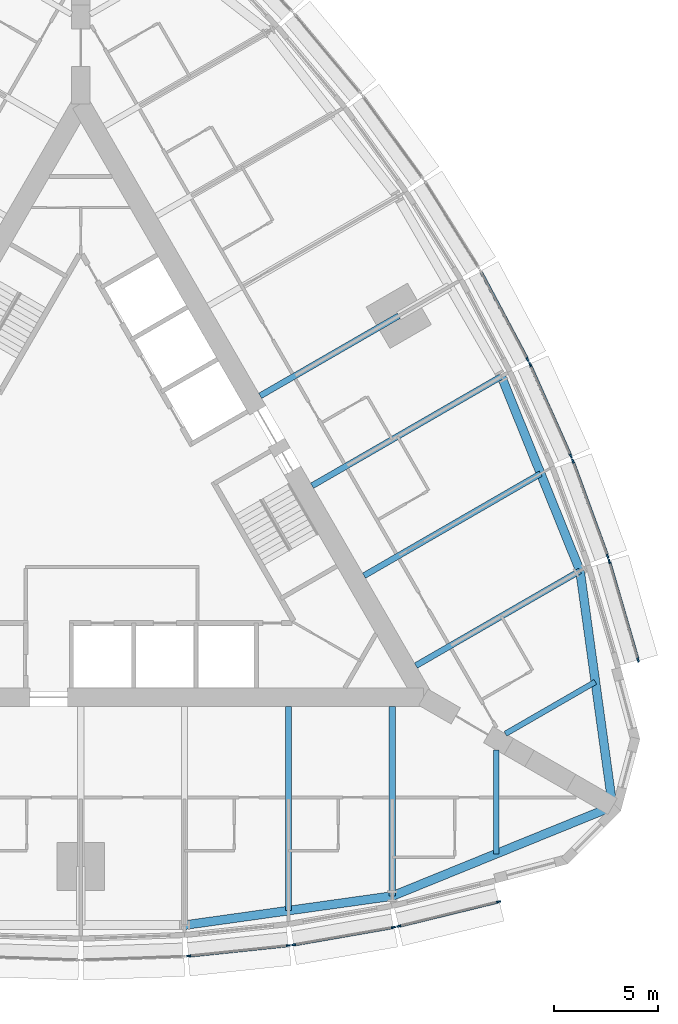
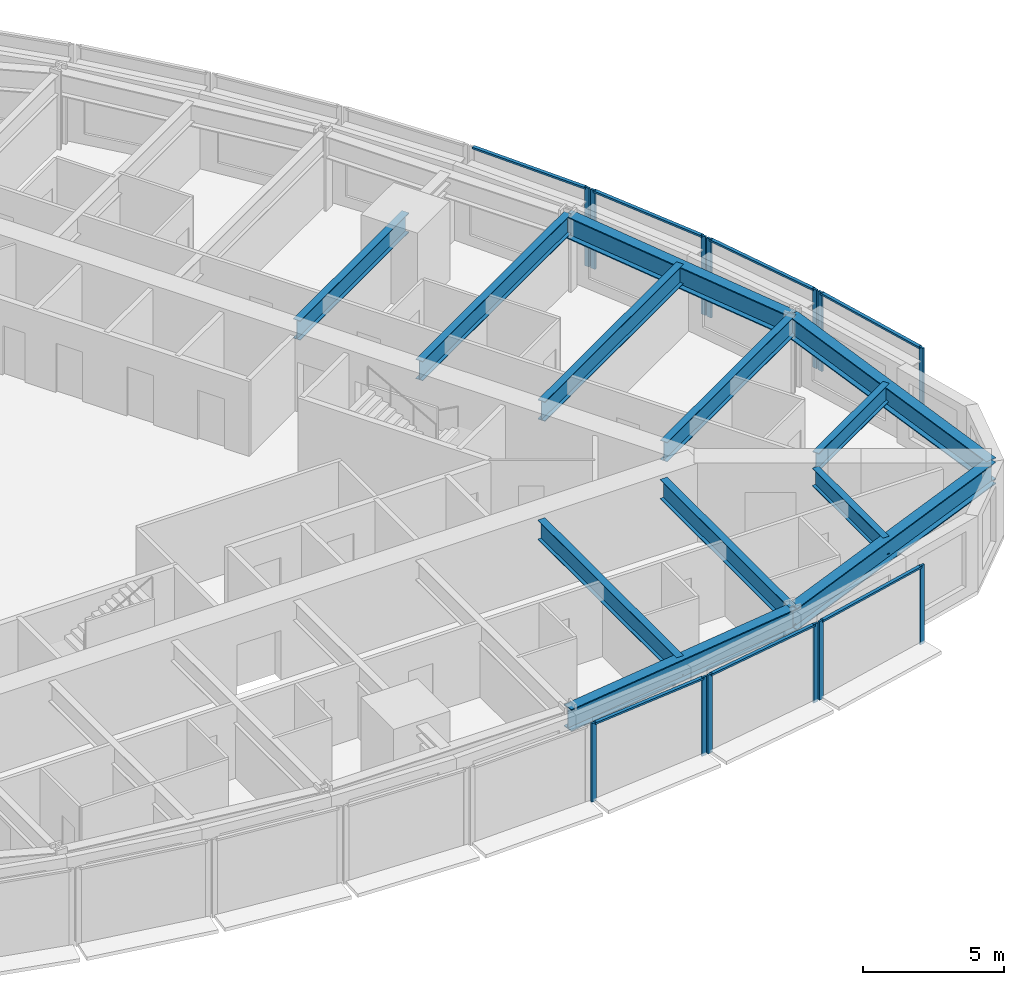
# One storey, part 3 of 14: 20 members, 12 beams, 7 elements without a shape of their own.
"""IFC4 building model written with IfcOpenShell, lengths in metres."""

from ifc_helpers import new_model, si_unit, direction, frame, origin, origin_2d, place, context, subcontext, project, spatial, rectangle, i_section, extrude, material, material_profile, profile_set, type_object, element, aggregate, save


model = new_model("IFC4")

# Units and contexts
model_context = context("Model", 3, precision=1e-05, world=origin(), true_north=direction((0.0, 1.0)))
body_context = subcontext(model_context, "Body", "Model", "MODEL_VIEW")
ifc_project = project(units=[si_unit("LENGTHUNIT", "METRE"), si_unit("AREAUNIT", "SQUARE_METRE"), si_unit("VOLUMEUNIT", "CUBIC_METRE"), si_unit("PLANEANGLEUNIT", "RADIAN"), si_unit("MASSUNIT", "GRAM", prefix="KILO")], contexts=[model_context])

# Site, building, storey
site_placement = place(None, origin())
site = spatial("IfcSite", under=ifc_project, at=site_placement, CompositionType="ELEMENT")
building_placement = place(site_placement, origin())
building = spatial("IfcBuilding", under=site, at=building_placement, Name="Trikona Tower", CompositionType="ELEMENT")
storey_placement = place(building_placement, frame((0.0, 0.0, 148.699951171875)))
storey = spatial("IfcBuildingStorey", under=building, at=storey_placement, Name="L39", CompositionType="ELEMENT", Elevation=148.699951171875)

# Curtain wall, members
ifc_material_1 = material(Name="Aluminium curtain wall system", Category="aluminium")
curtain_wall_type = type_object("IfcCurtainWallType", Name="Curtain wall DS2", PredefinedType="NOTDEFINED", material=ifc_material_1)
curtain_wall_1_placement = place(storey_placement, origin())
curtain_wall_1 = element("IfcCurtainWall", 1, at=curtain_wall_1_placement, inside=storey, type_object=curtain_wall_type, Name="Curtain wall DS2 L39", PredefinedType="NOTDEFINED")
ifc_material_2 = material(Name="Aluminium mullion, pale anodised", Category="aluminium")
ifc_material_profile_1 = material_profile(ifc_material_2, rectangle(XDim=0.080078125, YDim=0.199951171875, at=origin_2d()), Name="MUL-DS2")
ifc_profile_set_1 = profile_set([ifc_material_profile_1], Name="Aluminium mullion, pale anodised")
member_type_1 = type_object("IfcMemberType", Name="Mullion DS2 80x200", PredefinedType="MULLION", material=ifc_profile_set_1)
member_1_placement = place(storey_placement, frame((5.193359375, -21.98486328125, 0.0), z_axis=(0.0, 0.0, 1.0), x_axis=(-0.104433387357, 0.994531883654, 0.0)))
member_1 = element("IfcMember", 2, at=member_1_placement, type_object=member_type_1, Name="CW-DS2 mullion 1", PredefinedType="MULLION", context=body_context, shape_type="SweptSolid", body=[
    extrude(rectangle(XDim=0.080078125, YDim=0.199951171875, at=origin_2d()), origin(), (0.0, 0.0, 1.0), 3.400146484375),
])
member_2_placement = place(storey_placement, frame((9.99462890625, -21.480712890625, 0.0), z_axis=(0.0, 0.0, 1.0), x_axis=(-0.104433387357, 0.994531883654, 0.0)))
member_2 = element("IfcMember", 3, at=member_2_placement, type_object=member_type_1, Name="CW-DS2 mullion 2", PredefinedType="MULLION", context=body_context, shape_type="SweptSolid", body=[
    extrude(rectangle(XDim=0.080078125, YDim=0.199951171875, at=origin_2d()), origin(), (0.0, 0.0, 1.0), 3.400146484375),
])

curtain_wall_2_placement = place(storey_placement, origin())
curtain_wall_2 = element("IfcCurtainWall", 4, at=curtain_wall_2_placement, inside=storey, type_object=curtain_wall_type, Name="Curtain wall DS2 L39", PredefinedType="NOTDEFINED")
member_3_placement = place(storey_placement, frame((10.253662109375, -21.444580078125, 0.0), z_axis=(0.0, 0.0, 1.0), x_axis=(-0.17237739505, 0.985030981074, 0.0)))
member_3 = element("IfcMember", 5, at=member_3_placement, type_object=member_type_1, Name="CW-DS2 mullion 1", PredefinedType="MULLION", context=body_context, shape_type="SweptSolid", body=[
    extrude(rectangle(XDim=0.080078125, YDim=0.199951171875, at=origin_2d()), origin(), (0.0, 0.0, 1.0), 3.400146484375),
])
member_4_placement = place(storey_placement, frame((15.056640625, -20.60400390625, 0.0), z_axis=(0.0, 0.0, 1.0), x_axis=(-0.17237739505, 0.985030981074, 0.0)))
member_4 = element("IfcMember", 6, at=member_4_placement, type_object=member_type_1, Name="CW-DS2 mullion 2", PredefinedType="MULLION", context=body_context, shape_type="SweptSolid", body=[
    extrude(rectangle(XDim=0.080078125, YDim=0.199951171875, at=origin_2d()), origin(), (0.0, 0.0, 1.0), 3.400146484375),
])

curtain_wall_3_placement = place(storey_placement, origin())
curtain_wall_3 = element("IfcCurtainWall", 7, at=curtain_wall_3_placement, inside=storey, type_object=curtain_wall_type, Name="Curtain wall DS2 L39", PredefinedType="NOTDEFINED")
member_5_placement = place(storey_placement, frame((15.311279296875, -20.550537109375, 0.0), z_axis=(0.0, 0.0, 1.0), x_axis=(-0.237970204243, 0.971272455026, 0.0)))
member_5 = element("IfcMember", 8, at=member_5_placement, type_object=member_type_1, Name="CW-DS2 mullion 1", PredefinedType="MULLION", context=body_context, shape_type="SweptSolid", body=[
    extrude(rectangle(XDim=0.080078125, YDim=0.199951171875, at=origin_2d()), origin(), (0.0, 0.0, 1.0), 3.400146484375),
])
member_6_placement = place(storey_placement, frame((20.116943359375, -19.373046875, 0.0), z_axis=(0.0, 0.0, 1.0), x_axis=(-0.237970204243, 0.971272455026, 0.0)))
member_6 = element("IfcMember", 9, at=member_6_placement, type_object=member_type_1, Name="CW-DS2 mullion 2", PredefinedType="MULLION", context=body_context, shape_type="SweptSolid", body=[
    extrude(rectangle(XDim=0.080078125, YDim=0.199951171875, at=origin_2d()), origin(), (0.0, 0.0, 1.0), 3.400146484375),
])

curtain_wall_4_placement = place(storey_placement, origin())
curtain_wall_4 = element("IfcCurtainWall", 10, at=curtain_wall_4_placement, inside=storey, type_object=curtain_wall_type, Name="Curtain wall DS2 L39", PredefinedType="NOTDEFINED")
member_7_placement = place(storey_placement, frame((26.836181640625, -7.7353515625, 0.0), z_axis=(0.0, 0.0, 1.0), x_axis=(-0.96013310152, -0.279543247757, 0.0)))
member_7 = element("IfcMember", 11, at=member_7_placement, type_object=member_type_1, Name="CW-DS2 mullion 1", PredefinedType="MULLION", context=body_context, shape_type="SweptSolid", body=[
    extrude(rectangle(XDim=0.080078125, YDim=0.199951171875, at=origin_2d()), origin(), (0.0, 0.0, 1.0), 3.400146484375),
])
member_8_placement = place(storey_placement, frame((25.452880859375, -2.984619140625, 0.0), z_axis=(0.0, 0.0, 1.0), x_axis=(-0.96013310152, -0.279543247757, 0.0)))
member_8 = element("IfcMember", 12, at=member_8_placement, type_object=member_type_1, Name="CW-DS2 mullion 2", PredefinedType="MULLION", context=body_context, shape_type="SweptSolid", body=[
    extrude(rectangle(XDim=0.080078125, YDim=0.199951171875, at=origin_2d()), origin(), (0.0, 0.0, 1.0), 3.400146484375),
])

curtain_wall_5_placement = place(storey_placement, origin())
curtain_wall_5 = element("IfcCurtainWall", 13, at=curtain_wall_5_placement, inside=storey, type_object=curtain_wall_type, Name="Curtain wall DS2 L39", PredefinedType="NOTDEFINED")
member_9_placement = place(storey_placement, frame((25.371826171875, -2.737548828125, 0.0), z_axis=(0.0, 0.0, 1.0), x_axis=(-0.939253790978, -0.343223420143, 0.0)))
member_9 = element("IfcMember", 14, at=member_9_placement, type_object=member_type_1, Name="CW-DS2 mullion 1", PredefinedType="MULLION", context=body_context, shape_type="SweptSolid", body=[
    extrude(rectangle(XDim=0.080078125, YDim=0.199951171875, at=origin_2d()), origin(), (0.0, 0.0, 1.0), 3.400146484375),
])
member_10_placement = place(storey_placement, frame((23.6982421875, 1.84228515625, 0.0), z_axis=(0.0, 0.0, 1.0), x_axis=(-0.939253790978, -0.343223420143, 0.0)))
member_10 = element("IfcMember", 15, at=member_10_placement, type_object=member_type_1, Name="CW-DS2 mullion 2", PredefinedType="MULLION", context=body_context, shape_type="SweptSolid", body=[
    extrude(rectangle(XDim=0.080078125, YDim=0.199951171875, at=origin_2d()), origin(), (0.0, 0.0, 1.0), 3.400146484375),
])

curtain_wall_6_placement = place(storey_placement, origin())
curtain_wall_6 = element("IfcCurtainWall", 16, at=curtain_wall_6_placement, inside=storey, type_object=curtain_wall_type, Name="Curtain wall DS2 L39", PredefinedType="NOTDEFINED")
member_11_placement = place(storey_placement, frame((23.60009765625, 2.0849609375, 0.0), z_axis=(0.0, 0.0, 1.0), x_axis=(-0.913501208767, -0.406836013132, 0.0)))
member_11 = element("IfcMember", 17, at=member_11_placement, type_object=member_type_1, Name="CW-DS2 mullion 1", PredefinedType="MULLION", context=body_context, shape_type="SweptSolid", body=[
    extrude(rectangle(XDim=0.080078125, YDim=0.199951171875, at=origin_2d()), origin(), (0.0, 0.0, 1.0), 3.400146484375),
])
member_12_placement = place(storey_placement, frame((21.63623046875, 6.494873046875, 0.0), z_axis=(0.0, 0.0, 1.0), x_axis=(-0.913501208767, -0.406836013132, 0.0)))
member_12 = element("IfcMember", 18, at=member_12_placement, type_object=member_type_1, Name="CW-DS2 mullion 2", PredefinedType="MULLION", context=body_context, shape_type="SweptSolid", body=[
    extrude(rectangle(XDim=0.080078125, YDim=0.199951171875, at=origin_2d()), origin(), (0.0, 0.0, 1.0), 3.400146484375),
])

# Curtain wall, member
curtain_wall_7_placement = place(storey_placement, origin())
curtain_wall_7 = element("IfcCurtainWall", 19, at=curtain_wall_7_placement, inside=storey, type_object=curtain_wall_type, Name="Curtain wall DS2 L39", PredefinedType="NOTDEFINED")
member_13_placement = place(storey_placement, frame((21.52099609375, 6.730712890625, 0.0), z_axis=(0.0, 0.0, 1.0), x_axis=(-0.882996107343, -0.469380308937, 0.0)))
member_13 = element("IfcMember", 20, at=member_13_placement, type_object=member_type_1, Name="CW-DS2 mullion 1", PredefinedType="MULLION", context=body_context, shape_type="SweptSolid", body=[
    extrude(rectangle(XDim=0.080078125, YDim=0.199951171875, at=origin_2d()), origin(), (0.0, 0.0, 1.0), 3.400146484375),
])

# Beams
ifc_material_3 = material(Name="Steel ASTM A992 Grade 50", Category="steel")
ifc_material_profile_2 = material_profile(ifc_material_3, i_section(OverallWidth=0.2666015625, OverallDepth=0.76953125, WebThickness=0.015625, FlangeThickness=0.025390625, at=origin_2d()), Name="W30X132")
ifc_profile_set_2 = profile_set([ifc_material_profile_2], Name="Steel ASTM A992 Grade 50")
beam_type_1 = type_object("IfcBeamType", Name="Steel beam W30x132 (wedge)", PredefinedType="BEAM", material=ifc_profile_set_2)
beam_1_placement = place(storey_placement, frame((20.0, -12.066650390625, 2.850341796875), z_axis=(0.0, -1.0, 0.0), x_axis=(1.0, 0.0, 0.0)))
element("IfcBeam", 21, at=beam_1_placement, inside=storey, type_object=beam_type_1, Name="Floor beam L40 F1 u20", PredefinedType="BEAM", context=body_context, shape_type="SweptSolid", body=[
    extrude(i_section(OverallWidth=0.2666015625, OverallDepth=0.76953125, WebThickness=0.015625, FlangeThickness=0.025390625, at=origin_2d()), origin(), (0.0, 0.0, 1.0), 5.00048828125),
])
beam_2_placement = place(storey_placement, frame((20.449951171875, -11.287109375, 2.850341796875), z_axis=(0.866038434829, 0.49997742889, 0.0), x_axis=(-0.49997742889, 0.866038434829, 0.0)))
element("IfcBeam", 22, at=beam_2_placement, inside=storey, type_object=beam_type_1, Name="Floor beam L40 F2 u-20", PredefinedType="BEAM", context=body_context, shape_type="SweptSolid", body=[
    extrude(i_section(OverallWidth=0.2666015625, OverallDepth=0.76953125, WebThickness=0.015625, FlangeThickness=0.025390625, at=origin_2d()), origin(), (0.0, 0.0, 1.0), 5.000732421875),
])
ifc_material_4 = material(Name="Steel ASTM A992 Grade 50", Category="steel")
ifc_material_profile_3 = material_profile(ifc_material_4, i_section(OverallWidth=0.2919921875, OverallDepth=0.845703125, WebThickness=0.015380859375, FlangeThickness=0.0244140625, at=origin_2d()), Name="W33X141")
ifc_profile_set_3 = profile_set([ifc_material_profile_3], Name="Steel ASTM A992 Grade 50")
beam_type_2 = type_object("IfcBeamType", Name="Steel beam W33x141 (radial typ)", PredefinedType="BEAM", material=ifc_profile_set_3)
beam_3_placement = place(storey_placement, frame((10.0, -9.976318359375, 2.812255859375), z_axis=(0.0, -1.0, 0.0), x_axis=(1.0, 0.0, 0.0)))
element("IfcBeam", 23, at=beam_3_placement, inside=storey, type_object=beam_type_2, Name="Floor beam L40 F1 u10", PredefinedType="BEAM", context=body_context, shape_type="SweptSolid", body=[
    extrude(i_section(OverallWidth=0.2919921875, OverallDepth=0.845703125, WebThickness=0.015380859375, FlangeThickness=0.0244140625, at=origin_2d()), origin(), (0.0, 0.0, 1.0), 9.823974609375),
])
beam_4_placement = place(storey_placement, frame((15.0, -9.976318359375, 2.812255859375), z_axis=(0.0, -1.0, 0.0), x_axis=(1.0, 0.0, 0.0)))
element("IfcBeam", 24, at=beam_4_placement, inside=storey, type_object=beam_type_2, Name="Floor beam L40 F1 u15", PredefinedType="BEAM", context=body_context, shape_type="SweptSolid", body=[
    extrude(i_section(OverallWidth=0.2919921875, OverallDepth=0.845703125, WebThickness=0.015380859375, FlangeThickness=0.0244140625, at=origin_2d()), origin(), (0.0, 0.0, 1.0), 9.123779296875),
])
beam_5_placement = place(storey_placement, frame((16.1396484375, -8.002197265625, 2.812255859375), z_axis=(0.866024725532, 0.500001174766, 0.0), x_axis=(-0.500001174766, 0.866024725532, 0.0)))
element("IfcBeam", 25, at=beam_5_placement, inside=storey, type_object=beam_type_2, Name="Floor beam L40 F2 u-15", PredefinedType="BEAM", context=body_context, shape_type="SweptSolid", body=[
    extrude(i_section(OverallWidth=0.2919921875, OverallDepth=0.845703125, WebThickness=0.015380859375, FlangeThickness=0.0244140625, at=origin_2d()), origin(), (0.0, 0.0, 1.0), 9.1240234375),
])
beam_6_placement = place(storey_placement, frame((13.6396484375, -3.672119140625, 2.812255859375), z_axis=(0.866020046725, 0.500009278584, 0.0), x_axis=(-0.500009278584, 0.866020046725, 0.0)))
element("IfcBeam", 26, at=beam_6_placement, inside=storey, type_object=beam_type_2, Name="Floor beam L40 F2 u-10", PredefinedType="BEAM", context=body_context, shape_type="SweptSolid", body=[
    extrude(i_section(OverallWidth=0.2919921875, OverallDepth=0.845703125, WebThickness=0.015380859375, FlangeThickness=0.0244140625, at=origin_2d()), origin(), (0.0, 0.0, 1.0), 9.823974609375),
])
beam_7_placement = place(storey_placement, frame((11.1396484375, 0.657958984375, 2.812255859375), z_axis=(0.866026035623, 0.499998905622, 0.0), x_axis=(-0.499998905622, 0.866026035623, 0.0)))
element("IfcBeam", 27, at=beam_7_placement, inside=storey, type_object=beam_type_2, Name="Floor beam L40 F2 u-5", PredefinedType="BEAM", context=body_context, shape_type="SweptSolid", body=[
    extrude(i_section(OverallWidth=0.2919921875, OverallDepth=0.845703125, WebThickness=0.015380859375, FlangeThickness=0.0244140625, at=origin_2d()), origin(), (0.0, 0.0, 1.0), 10.52392578125),
])
beam_8_placement = place(storey_placement, frame((8.6396484375, 4.988037109375, 2.812255859375), z_axis=(0.866017246294, 0.500014128921, 0.0), x_axis=(-0.500014128921, 0.866017246294, 0.0)))
element("IfcBeam", 28, at=beam_8_placement, inside=storey, type_object=beam_type_2, Name="Floor beam L40 F2 u0", PredefinedType="BEAM", context=body_context, shape_type="SweptSolid", body=[
    extrude(i_section(OverallWidth=0.2919921875, OverallDepth=0.845703125, WebThickness=0.015380859375, FlangeThickness=0.0244140625, at=origin_2d()), origin(), (0.0, 0.0, 1.0), 7.704345703125),
])
ifc_material_5 = material(Name="Steel ASTM A992 Grade 50", Category="steel")
ifc_material_profile_4 = material_profile(ifc_material_5, i_section(OverallWidth=0.424072265625, OverallDepth=0.947509765625, WebThickness=0.02392578125, FlangeThickness=0.042724609375, at=origin_2d()), Name="W36X302")
ifc_profile_set_4 = profile_set([ifc_material_profile_4], Name="Steel ASTM A992 Grade 50")
beam_type_3 = type_object("IfcBeamType", Name="Steel beam W36x302 (spandrel)", PredefinedType="SPANDREL", material=ifc_profile_set_4)
beam_9_placement = place(storey_placement, frame((5.0, -20.500244140625, 2.76123046875), z_axis=(0.990339754644, 0.13866207258, 0.0), x_axis=(-0.13866207258, 0.990339754644, 0.0)))
element("IfcBeam", 29, at=beam_9_placement, inside=storey, type_object=beam_type_3, Name="Spandrel beam L40 F1-4", PredefinedType="SPANDREL", context=body_context, shape_type="SweptSolid", body=[
    extrude(i_section(OverallWidth=0.424072265625, OverallDepth=0.947509765625, WebThickness=0.02392578125, FlangeThickness=0.042724609375, at=origin_2d()), origin(), (0.0, 0.0, 1.0), 10.09765625),
])
for number, where, z_axis, x_axis, name in (
    (30, (15.0, -19.10009765625, 2.76123046875), (0.926359695662, 0.376640032728, 0.0), (-0.376640032728, 0.926359695662, 0.0), "Spandrel beam L40 F1-5"),
    (31, (25.6103515625, -14.7861328125, 2.76123046875), (-0.136991535842, 0.990572218017, 0.0), (-0.990572218017, -0.136991535842, 0.0), "Spandrel beam L40 F2-1"),
):
    element("IfcBeam", number, at=place(storey_placement, frame(where, z_axis=z_axis, x_axis=x_axis)), inside=storey, type_object=beam_type_3, Name=name, PredefinedType="SPANDREL", context=body_context, shape_type="SweptSolid", body=[
        extrude(i_section(OverallWidth=0.424072265625, OverallDepth=0.947509765625, WebThickness=0.02392578125, FlangeThickness=0.042724609375, at=origin_2d()), origin(), (0.0, 0.0, 1.0), 11.453857421875),
    ])
beam_10_placement = place(storey_placement, frame((24.041259765625, -3.440185546875, 2.76123046875), z_axis=(-0.375106193787, 0.926981846307, 0.0), x_axis=(-0.926981846307, -0.375106193787, 0.0)))
element("IfcBeam", 32, at=beam_10_placement, inside=storey, type_object=beam_type_3, Name="Spandrel beam L40 F2-2", PredefinedType="SPANDREL", context=body_context, shape_type="SweptSolid", body=[
    extrude(i_section(OverallWidth=0.424072265625, OverallDepth=0.947509765625, WebThickness=0.02392578125, FlangeThickness=0.042724609375, at=origin_2d()), origin(), (0.0, 0.0, 1.0), 10.097412109375),
])

# Member
ifc_material_6 = material(Name="Aluminium transom, pale anodised", Category="aluminium")
ifc_material_profile_5 = material_profile(ifc_material_6, rectangle(XDim=0.139892578125, YDim=0.080078125, at=origin_2d()), Name="TRN-DS2")
ifc_profile_set_5 = profile_set([ifc_material_profile_5], Name="Aluminium transom, pale anodised")
member_type_2 = type_object("IfcMemberType", Name="Transom DS2 80x140", PredefinedType="USERDEFINED", material=ifc_profile_set_5)
member_14_placement = place(storey_placement, frame((5.233154296875, -21.980712890625, 3.360107421875), z_axis=(0.99453106441, 0.104441188822, 0.0), x_axis=(-0.104441188822, 0.99453106441, 0.0)))
member_14 = element("IfcMember", 33, at=member_14_placement, type_object=member_type_2, Name="CW-DS2 transom 1.1", ObjectType="TRANSOM", PredefinedType="USERDEFINED", context=body_context, shape_type="SweptSolid", body=[
    extrude(rectangle(XDim=0.139892578125, YDim=0.080078125, at=origin_2d()), origin(), (0.0, 0.0, 1.0), 4.74755859375),
])

aggregate(curtain_wall_1, [member_1, member_2, member_14])

member_15_placement = place(storey_placement, frame((10.29296875, -21.4375, 3.360107421875), z_axis=(0.98503262804, 0.172367983387, 0.0), x_axis=(-0.172367983387, 0.98503262804, 0.0)))
member_15 = element("IfcMember", 34, at=member_15_placement, type_object=member_type_2, Name="CW-DS2 transom 1.1", ObjectType="TRANSOM", PredefinedType="USERDEFINED", context=body_context, shape_type="SweptSolid", body=[
    extrude(rectangle(XDim=0.139892578125, YDim=0.080078125, at=origin_2d()), origin(), (0.0, 0.0, 1.0), 4.7958984375),
])

aggregate(curtain_wall_2, [member_3, member_4, member_15])

member_16_placement = place(storey_placement, frame((15.35009765625, -20.541015625, 3.360107421875), z_axis=(0.971270583303, 0.237977843528, 0.0), x_axis=(-0.237977843528, 0.971270583303, 0.0)))
member_16 = element("IfcMember", 35, at=member_16_placement, type_object=member_type_2, Name="CW-DS2 transom 1.1", ObjectType="TRANSOM", PredefinedType="USERDEFINED", context=body_context, shape_type="SweptSolid", body=[
    extrude(rectangle(XDim=0.139892578125, YDim=0.080078125, at=origin_2d()), origin(), (0.0, 0.0, 1.0), 4.867919921875),
])

aggregate(curtain_wall_3, [member_5, member_6, member_16])

member_17_placement = place(storey_placement, frame((26.824951171875, -7.69677734375, 3.360107421875), z_axis=(-0.279566628153, 0.960126293996, 0.0), x_axis=(-0.960126293996, -0.279566628153, 0.0)))
member_17 = element("IfcMember", 36, at=member_17_placement, type_object=member_type_2, Name="CW-DS2 transom 1.1", ObjectType="TRANSOM", PredefinedType="USERDEFINED", context=body_context, shape_type="SweptSolid", body=[
    extrude(rectangle(XDim=0.139892578125, YDim=0.080078125, at=origin_2d()), origin(), (0.0, 0.0, 1.0), 4.86767578125),
])

aggregate(curtain_wall_4, [member_7, member_8, member_17])

member_18_placement = place(storey_placement, frame((25.358154296875, -2.699951171875, 3.360107421875), z_axis=(-0.343205907674, 0.939260190223, 0.0), x_axis=(-0.939260190223, -0.343205907674, 0.0)))
member_18 = element("IfcMember", 37, at=member_18_placement, type_object=member_type_2, Name="CW-DS2 transom 1.1", ObjectType="TRANSOM", PredefinedType="USERDEFINED", context=body_context, shape_type="SweptSolid", body=[
    extrude(rectangle(XDim=0.139892578125, YDim=0.080078125, at=origin_2d()), origin(), (0.0, 0.0, 1.0), 4.7958984375),
])

aggregate(curtain_wall_5, [member_9, member_10, member_18])

member_19_placement = place(storey_placement, frame((23.583740234375, 2.12158203125, 3.360107421875), z_axis=(-0.406839769607, 0.913499535778, 0.0), x_axis=(-0.913499535778, -0.406839769607, 0.0)))
member_19 = element("IfcMember", 38, at=member_19_placement, type_object=member_type_2, Name="CW-DS2 transom 1.1", ObjectType="TRANSOM", PredefinedType="USERDEFINED", context=body_context, shape_type="SweptSolid", body=[
    extrude(rectangle(XDim=0.139892578125, YDim=0.080078125, at=origin_2d()), origin(), (0.0, 0.0, 1.0), 4.747314453125),
])

aggregate(curtain_wall_6, [member_11, member_12, member_19])

member_20_placement = place(storey_placement, frame((21.502197265625, 6.76611328125, 3.360107421875), z_axis=(-0.469364343408, 0.883004594063, 0.0), x_axis=(-0.883004594063, -0.469364343408, 0.0)))
member_20 = element("IfcMember", 39, at=member_20_placement, type_object=member_type_2, Name="CW-DS2 transom 1.1", ObjectType="TRANSOM", PredefinedType="USERDEFINED", context=body_context, shape_type="SweptSolid", body=[
    extrude(rectangle(XDim=0.139892578125, YDim=0.080078125, at=origin_2d()), origin(), (0.0, 0.0, 1.0), 4.722900390625),
])

aggregate(curtain_wall_7, [member_13, member_20])

save(model, "model.ifc")
